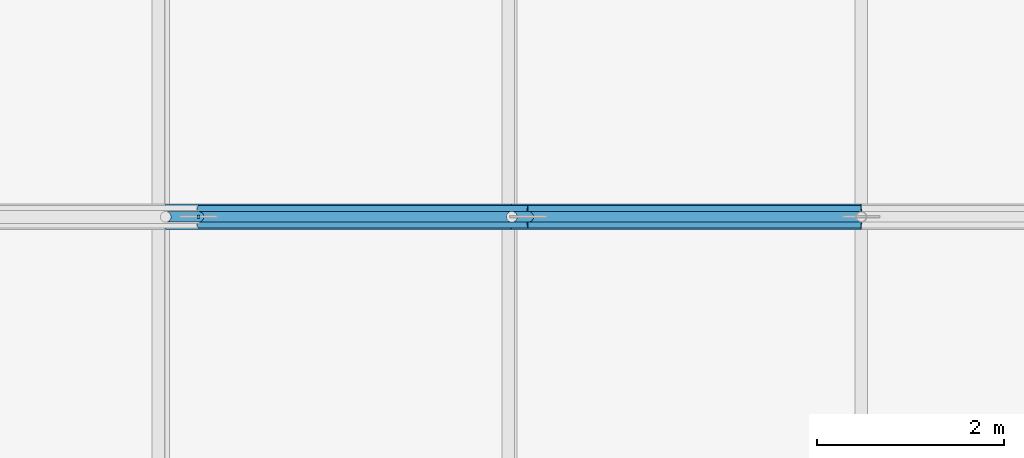
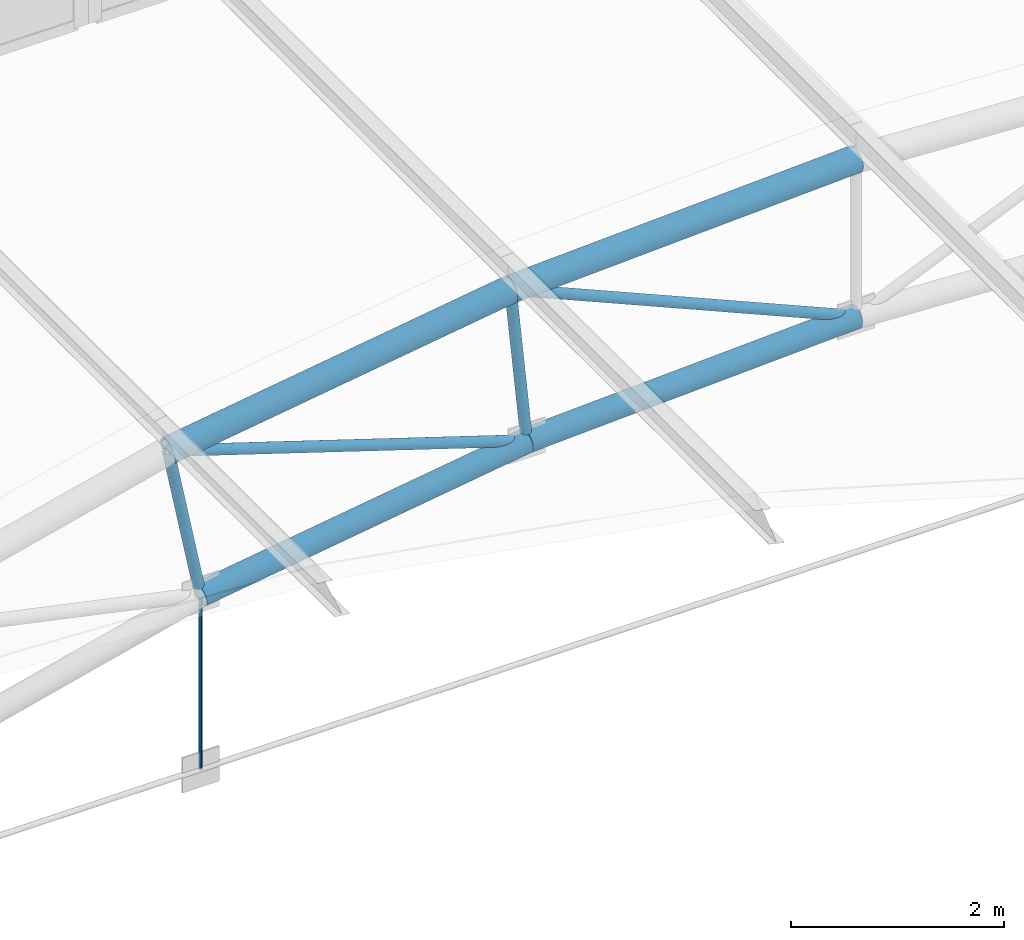
# One storey, part 218 of 321: 9 members.
"""IFC4 building model written with IfcOpenShell, lengths in metres."""

from ifc_helpers import new_model, si_unit, direction, frame, origin, origin_2d, place, context, subcontext, project, spatial, circle, hollow_circle, extrude, material, material_profile, profile_set, type_object, element, save


model = new_model("IFC4")

# Units and contexts
model_context = context("Model", 3, precision=1e-05, world=origin(), true_north=direction((0.0, 1.0)))
body_context = subcontext(model_context, "Body", "Model", "MODEL_VIEW")
ifc_project = project(units=[si_unit("LENGTHUNIT", "METRE"), si_unit("AREAUNIT", "SQUARE_METRE"), si_unit("VOLUMEUNIT", "CUBIC_METRE"), si_unit("PLANEANGLEUNIT", "RADIAN"), si_unit("MASSUNIT", "GRAM", prefix="KILO")], contexts=[model_context])

# Site, building, storey
site_placement = place(None, origin())
site = spatial("IfcSite", under=ifc_project, at=site_placement, CompositionType="ELEMENT")
building_placement = place(site_placement, origin())
building = spatial("IfcBuilding", under=site, at=building_placement, Name="Ravi Spectrum Wholesale Market", CompositionType="ELEMENT")
storey_placement = place(building_placement, frame((0.0, 0.0, 10.800048828125)))
storey = spatial("IfcBuildingStorey", under=building, at=storey_placement, Name="L02", CompositionType="ELEMENT", Elevation=10.800048828125)

# Members
ifc_material_1 = material(Name="Steel S355", Category="steel")
ifc_material_profile_1 = material_profile(ifc_material_1, hollow_circle(Radius=0.05712890625, WallThickness=0.00390625, at=origin_2d()))
ifc_profile_set_1 = profile_set([ifc_material_profile_1], Name="Steel S355")
member_type_1 = type_object("IfcMemberType", Name="CHS 114.3x4 brace", PredefinedType="BRACE", material=ifc_profile_set_1)
for number, where, z_axis, x_axis, name in (
    (1, (172.551513671875, 174.0, 3.767822265625), (0.952400500519, 0.0, -0.304849613108), (0.0, 1.0, 0.0), "H3-MB-L02-152"),
    (2, (176.2578125, 174.0, 4.31640625), (0.918016770488, 0.0, -0.396541560373), (0.0, 1.0, 0.0), "H3-MB-L02-153"),
):
    element("IfcMember", number, at=place(storey_placement, frame(where, z_axis=z_axis, x_axis=x_axis)), inside=storey, type_object=member_type_1, Name=name, PredefinedType="BRACE", context=body_context, shape_type="SweptSolid", body=[
        extrude(hollow_circle(Radius=0.05712890625, WallThickness=0.00390625, at=origin_2d()), origin(), (0.0, 0.0, 1.0), 4.076416015625),
    ])
ifc_material_2 = material(Name="Steel S355", Category="steel")
ifc_material_profile_2 = material_profile(ifc_material_2, hollow_circle(Radius=0.05712890625, WallThickness=0.00390625, at=origin_2d()))
ifc_profile_set_2 = profile_set([ifc_material_profile_2], Name="Steel S355")
member_type_2 = type_object("IfcMemberType", Name="CHS 114.3x4 post", PredefinedType="POST", material=ifc_profile_set_2)
member_1_placement = place(storey_placement, frame((172.551513671875, 174.0, 3.767822265625), z_axis=(0.194759682352, 0.0, -0.980850990788), x_axis=(0.0, 1.0, 0.0)))
element("IfcMember", 3, at=member_1_placement, inside=storey, type_object=member_type_2, Name="H3-MB-L02-143", PredefinedType="POST", context=body_context, shape_type="SweptSolid", body=[
    extrude(hollow_circle(Radius=0.05712890625, WallThickness=0.00390625, at=origin_2d()), origin(), (0.0, 0.0, 1.0), 1.800048828125),
])
member_2_placement = place(storey_placement, frame((176.2578125, 174.0, 4.31640625), z_axis=(0.097797973815, 0.0, -0.995206288323), x_axis=(0.0, 1.0, 0.0)))
element("IfcMember", 4, at=member_2_placement, inside=storey, type_object=member_type_2, Name="H3-MB-L02-144", PredefinedType="POST", context=body_context, shape_type="SweptSolid", body=[
    extrude(hollow_circle(Radius=0.05712890625, WallThickness=0.00390625, at=origin_2d()), origin(), (0.0, 0.0, 1.0), 1.7998046875),
])
ifc_material_3 = material(Name="Steel S355", Category="steel")
ifc_material_profile_3 = material_profile(ifc_material_3, hollow_circle(Radius=0.122314453125, WallThickness=0.008056640625, at=origin_2d()))
ifc_profile_set_3 = profile_set([ifc_material_profile_3], Name="Steel S355")
member_type_3 = type_object("IfcMemberType", Name="CHS 244.5x8 chord", PredefinedType="CHORD", material=ifc_profile_set_3)
member_3_placement = place(storey_placement, frame((172.902099609375, 174.0, 2.002197265625), z_axis=(0.989214474115, 0.0, 0.146474312426), x_axis=(0.0, 1.0, 0.0)))
element("IfcMember", 5, at=member_3_placement, inside=storey, type_object=member_type_3, Name="H3-MB-L02-134", PredefinedType="CHORD", context=body_context, shape_type="SweptSolid", body=[
    extrude(hollow_circle(Radius=0.122314453125, WallThickness=0.008056640625, at=origin_2d()), origin(), (0.0, 0.0, 1.0), 3.5703125),
])
member_4_placement = place(storey_placement, frame((176.433837890625, 174.0, 2.525146484375), z_axis=(0.998800798306, 0.0, 0.048958812322), x_axis=(0.0, 1.0, 0.0)))
element("IfcMember", 6, at=member_4_placement, inside=storey, type_object=member_type_3, Name="H3-MB-L02-135", PredefinedType="CHORD", context=body_context, shape_type="SweptSolid", body=[
    extrude(hollow_circle(Radius=0.122314453125, WallThickness=0.008056640625, at=origin_2d()), origin(), (0.0, 0.0, 1.0), 3.570556640625),
])
ifc_material_4 = material(Name="Steel S355", Category="steel")
ifc_material_profile_4 = material_profile(ifc_material_4, hollow_circle(Radius=0.136474609375, WallThickness=0.010009765625, at=origin_2d()))
ifc_profile_set_4 = profile_set([ifc_material_profile_4], Name="Steel S355")
member_type_4 = type_object("IfcMemberType", Name="CHS 273x10 chord", PredefinedType="CHORD", material=ifc_profile_set_4)
for number, where, z_axis, x_axis, name in (
    (7, (172.551513671875, 174.0, 3.767822265625), (0.989222696265, 0.0, 0.146418773368), (0.0, 1.0, 0.0), "H3-MB-L02-124"),
    (8, (176.2578125, 174.0, 4.31640625), (0.998798699726, 0.0, 0.049001606354), (0.0, 1.0, 0.0), "H3-MB-L02-125"),
):
    element("IfcMember", number, at=place(storey_placement, frame(where, z_axis=z_axis, x_axis=x_axis)), inside=storey, type_object=member_type_4, Name=name, PredefinedType="CHORD", context=body_context, shape_type="SweptSolid", body=[
        extrude(hollow_circle(Radius=0.136474609375, WallThickness=0.010009765625, at=origin_2d()), origin(), (0.0, 0.0, 1.0), 3.74658203125),
    ])
ifc_material_5 = material(Name="Steel S355", Category="steel")
ifc_material_profile_5 = material_profile(ifc_material_5, circle(Radius=0.01806640625, at=origin_2d()))
ifc_profile_set_5 = profile_set([ifc_material_profile_5], Name="Steel S355")
member_type_5 = type_object("IfcMemberType", Name="ROD 36 hanger", PredefinedType="STRUT", material=ifc_profile_set_5)
member_5_placement = place(storey_placement, frame((172.902099609375, 174.0, 0.0), z_axis=(0.0, 0.0, 1.0), x_axis=(1.0, 0.0, 0.0)))
element("IfcMember", 9, at=member_5_placement, inside=storey, type_object=member_type_5, Name="H3-MB-L02-159", PredefinedType="STRUT", context=body_context, shape_type="SweptSolid", body=[
    extrude(circle(Radius=0.01806640625, at=origin_2d()), origin(), (0.0, 0.0, 1.0), 2.002197265625),
])

save(model, "model.ifc")
